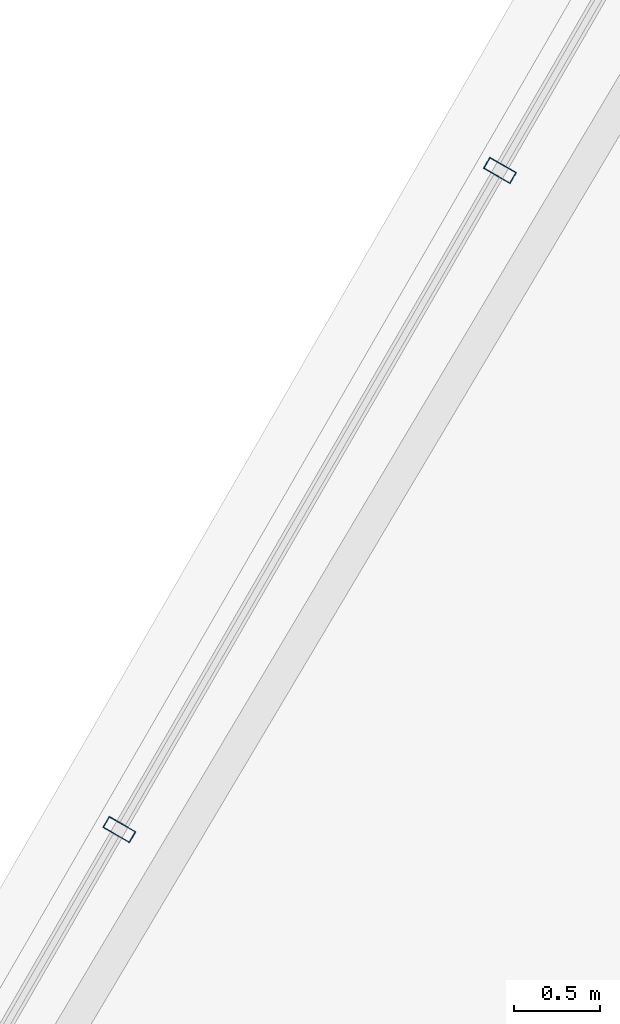
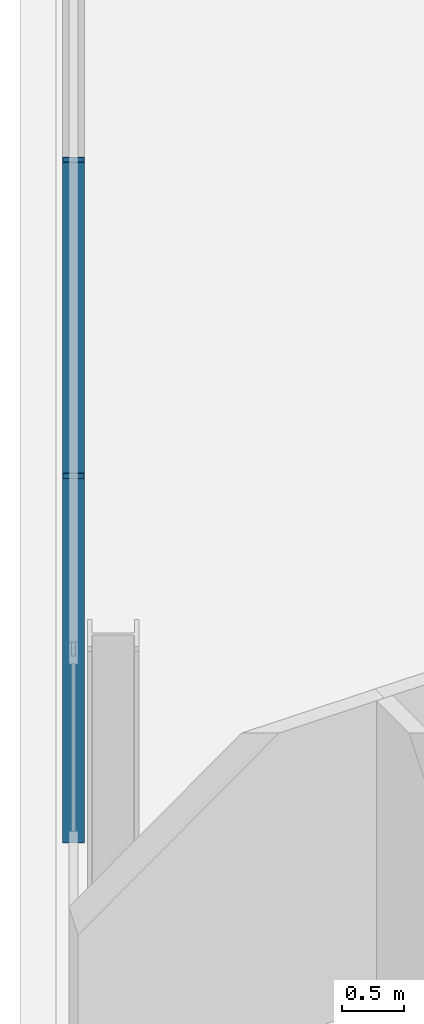
# One storey, part 15 of 35: 2 members, 1 element without a shape of its own.
"""IFC4 building model written with IfcOpenShell, lengths in metres."""

from ifc_helpers import new_model, si_unit, direction, frame, origin, origin_2d, place, context, subcontext, project, spatial, hollow_rectangle, extrude, material, layer, layer_set, material_profile, profile_set, type_object, element, aggregate, save


model = new_model("IFC4")

# Units and contexts
model_context = context("Model", 3, precision=1e-05, world=origin(), true_north=direction((0.0, 1.0)))
body_context = subcontext(model_context, "Body", "Model", "MODEL_VIEW")
ifc_project = project(units=[si_unit("LENGTHUNIT", "METRE"), si_unit("AREAUNIT", "SQUARE_METRE"), si_unit("VOLUMEUNIT", "CUBIC_METRE"), si_unit("PLANEANGLEUNIT", "RADIAN"), si_unit("MASSUNIT", "GRAM", prefix="KILO")], contexts=[model_context])

# Site, building, storey
site_placement = place(None, origin())
site = spatial("IfcSite", under=ifc_project, at=site_placement, CompositionType="ELEMENT")
building_placement = place(site_placement, origin())
building = spatial("IfcBuilding", under=site, at=building_placement, Name="Ndaravel Arena Tower", CompositionType="ELEMENT")
storey_placement = place(building_placement, frame((0.0, 0.0, 271.199951171875)))
storey = spatial("IfcBuildingStorey", under=building, at=storey_placement, Name="L66", CompositionType="ELEMENT", Elevation=271.199951171875)

# Curtain wall, members
ifc_material_1 = material(Name="Aluminium", Category="aluminium")
ifc_layer = layer(ifc_material_1, 0.179931640625)
ifc_layer_set = layer_set([ifc_layer], Name="Aluminium")
curtain_wall_type = type_object("IfcCurtainWallType", Name="CW-SYS-03", PredefinedType="NOTDEFINED", material=ifc_layer_set)
curtain_wall_placement = place(storey_placement, origin())
curtain_wall = element("IfcCurtainWall", 1, at=curtain_wall_placement, inside=storey, type_object=curtain_wall_type, Name="L66 Faceted Crystal Curtain Wall CW-L66-E05", PredefinedType="NOTDEFINED")
ifc_material_2 = material(Name="Aluminium", Category="aluminium")
ifc_material_profile = material_profile(ifc_material_2, hollow_rectangle(XDim=0.074951171875, YDim=0.179931640625, WallThickness=0.00390625, at=origin_2d()), Name="CW MULLION 75x180x4")
ifc_profile_set = profile_set([ifc_material_profile], Name="Aluminium")
member_type = type_object("IfcMemberType", Name="MEM-CW-MUL180", PredefinedType="MULLION", material=ifc_profile_set)
member_1_placement = place(storey_placement, frame((32.80224609375, 32.614501953125, 0.0), z_axis=(0.0, 0.0, 1.0), x_axis=(-0.5, -0.866025403784, 0.0)))
member_1 = element("IfcMember", 2, at=member_1_placement, type_object=member_type, Name="CW-L66-E05 Mullion 03", PredefinedType="MULLION", context=body_context, shape_type="SweptSolid", body=[
    extrude(hollow_rectangle(XDim=0.074951171875, YDim=0.179931640625, WallThickness=0.00390625, at=origin_2d()), origin(), (0.0, 0.0, 1.0), 3.580078125),
])
member_2_placement = place(storey_placement, frame((30.58447265625, 28.7734375, 0.0), z_axis=(0.0, 0.0, 1.0), x_axis=(-0.5, -0.866025403784, 0.0)))
member_2 = element("IfcMember", 3, at=member_2_placement, type_object=member_type, Name="CW-L66-E05 Mullion 04", PredefinedType="MULLION", context=body_context, shape_type="SweptSolid", body=[
    extrude(hollow_rectangle(XDim=0.074951171875, YDim=0.179931640625, WallThickness=0.00390625, at=origin_2d()), origin(), (0.0, 0.0, 1.0), 3.580078125),
])
aggregate(curtain_wall, [member_1, member_2])

save(model, "model.ifc")
